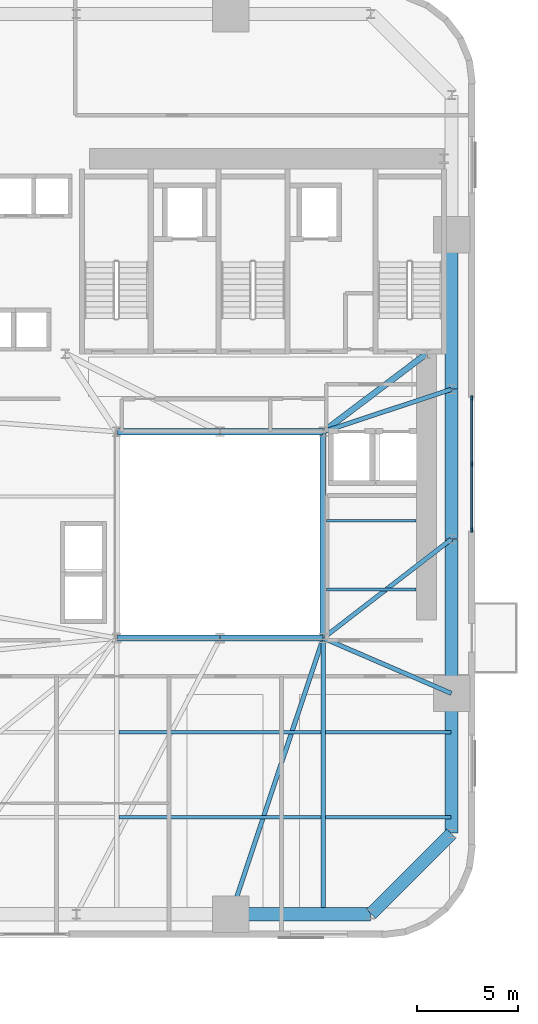
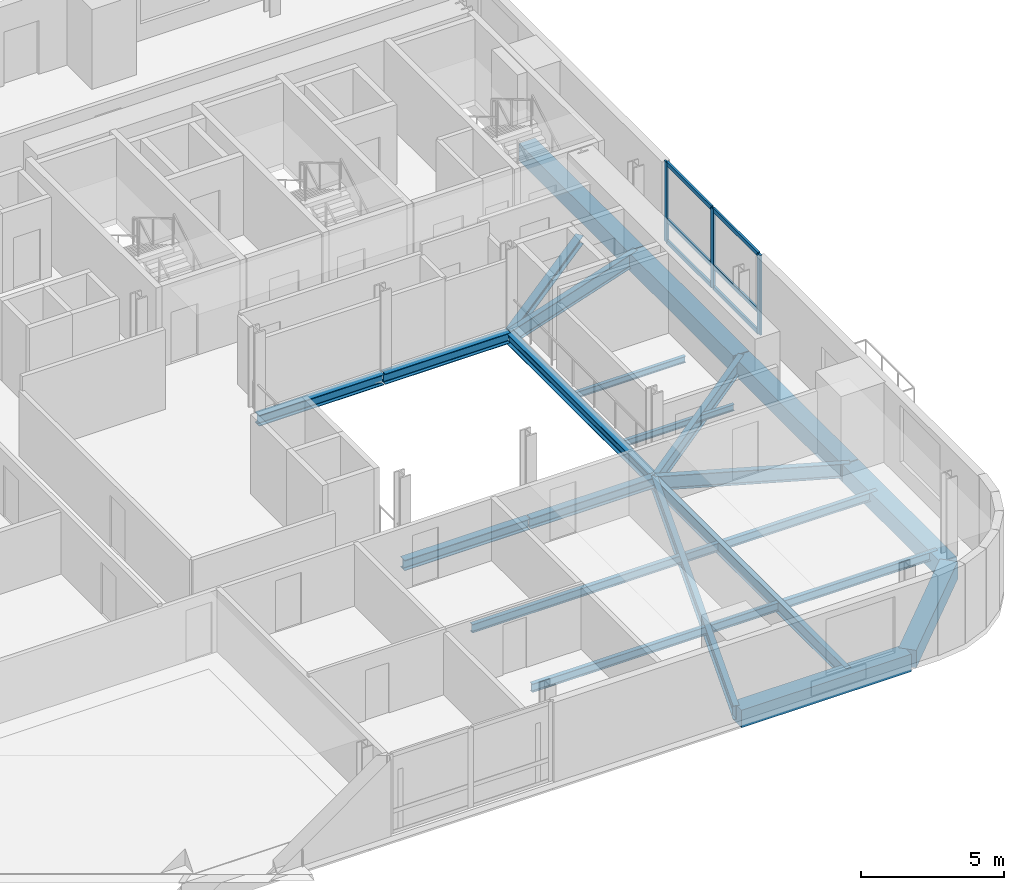
# One storey, part 3 of 13: 23 beams, 9 members, 1 element without a shape of its own.
"""IFC4 building model written with IfcOpenShell, lengths in metres."""

from ifc_helpers import new_model, si_unit, direction, frame, origin, origin_2d, place, context, subcontext, project, spatial, rectangle, i_section, extrude, source, transform, mapped, material, material_profile, profile_set, type_object, element, aggregate, save


model = new_model("IFC4")

# Units and contexts
model_context = context("Model", 3, precision=1e-05, world=origin(), true_north=direction((0.0, 1.0)))
body_context = subcontext(model_context, "Body", "Model", "MODEL_VIEW")
ifc_project = project(units=[si_unit("LENGTHUNIT", "METRE"), si_unit("AREAUNIT", "SQUARE_METRE"), si_unit("VOLUMEUNIT", "CUBIC_METRE"), si_unit("PLANEANGLEUNIT", "RADIAN"), si_unit("MASSUNIT", "GRAM", prefix="KILO")], contexts=[model_context])

# Site, building, storey
site_placement = place(None, origin())
site = spatial("IfcSite", under=ifc_project, at=site_placement, CompositionType="ELEMENT")
building_placement = place(site_placement, origin())
building = spatial("IfcBuilding", under=site, at=building_placement, Name="Vardaveli Station Tower", CompositionType="ELEMENT")
storey_placement = place(building_placement, frame((0.0, 0.0, 71.39990234375)))
storey = spatial("IfcBuildingStorey", under=building, at=storey_placement, Name="L18", CompositionType="ELEMENT", Elevation=71.39990234375)

# Beams
ifc_material_1 = material(Name="Structural steel S355J2", Category="steel")
ifc_material_profile_1 = material_profile(ifc_material_1, i_section(OverallWidth=0.300048828125, OverallDepth=0.449951171875, WebThickness=0.013916015625, FlangeThickness=0.02587890625, FilletRadius=0.027099609375, at=origin_2d()), Name="HEB 450")
ifc_profile_set_1 = profile_set([ifc_material_profile_1], Name="Structural steel S355J2")
beam_type_1 = type_object("IfcBeamType", Name="BM-HEB450", PredefinedType="BEAM", material=ifc_profile_set_1)
shared_shape_1 = source(origin(), body_context, "Body", "SweptSolid", [
    extrude(i_section(OverallWidth=0.300048828125, OverallDepth=0.449951171875, WebThickness=0.013916015625, FlangeThickness=0.02587890625, FilletRadius=0.027099609375, at=origin_2d()), origin(), (0.0, 0.0, 1.0), 5.06005859375),
])
for number, where, z_axis, x_axis, name in (
    (1, (31.219970703125, 16.60009765625, -0.46484375), (1.0, 0.0, 0.0), (0.0, 1.0, 0.0), "ABM-L18-01"),
    (2, (36.280029296875, 26.800048828125, -0.46484375), (-1.0, 0.0, 0.0), (0.0, -1.0, 0.0), "ABM-L18-05"),
):
    element("IfcBeam", number, at=place(storey_placement, frame(where, z_axis=z_axis, x_axis=x_axis)), inside=storey, type_object=beam_type_1, Name=name, PredefinedType="BEAM", context=body_context, shape_type="MappedRepresentation", body=[
        mapped(shared_shape_1, transform((0.0, 0.0, 0.0), scale=1.0)),
    ])
shared_shape_2 = source(origin(), body_context, "Body", "SweptSolid", [
    extrude(i_section(OverallWidth=0.300048828125, OverallDepth=0.449951171875, WebThickness=0.013916015625, FlangeThickness=0.02587890625, FilletRadius=0.027099609375, at=origin_2d()), origin(), (0.0, 0.0, 1.0), 5.059814453125),
])
for number, where, z_axis, x_axis, name in (
    (3, (36.320068359375, 16.60009765625, -0.46484375), (1.0, 0.0, 0.0), (0.0, 1.0, 0.0), "ABM-L18-02"),
    (4, (41.3798828125, 26.800048828125, -0.46484375), (-1.0, 0.0, 0.0), (0.0, -1.0, 0.0), "ABM-L18-04"),
):
    element("IfcBeam", number, at=place(storey_placement, frame(where, z_axis=z_axis, x_axis=x_axis)), inside=storey, type_object=beam_type_1, Name=name, PredefinedType="BEAM", context=body_context, shape_type="MappedRepresentation", body=[
        mapped(shared_shape_2, transform((0.0, 0.0, 0.0), scale=1.0)),
    ])
shared_shape_3 = source(origin(), body_context, "Body", "SweptSolid", [
    extrude(i_section(OverallWidth=0.300048828125, OverallDepth=0.449951171875, WebThickness=0.013916015625, FlangeThickness=0.02587890625, FilletRadius=0.027099609375, at=origin_2d()), origin(), (0.0, 0.0, 1.0), 10.159912109375),
])
beam_1_placement = place(storey_placement, frame((41.39990234375, 16.6201171875, -0.46484375), z_axis=(0.0, 1.0, 0.0), x_axis=(-1.0, 0.0, 0.0)))
element("IfcBeam", 5, at=beam_1_placement, inside=storey, type_object=beam_type_1, Name="ABM-L18-03", PredefinedType="BEAM", context=body_context, shape_type="MappedRepresentation", body=[
    mapped(shared_shape_3, transform((0.0, 0.0, 0.0), scale=1.0)),
])
ifc_material_profile_2 = material_profile(ifc_material_1, i_section(OverallWidth=0.300048828125, OverallDepth=0.360107421875, WebThickness=0.012451171875, FlangeThickness=0.0224609375, FilletRadius=0.027099609375, at=origin_2d()), Name="HEB 360")
ifc_profile_set_2 = profile_set([ifc_material_profile_2], Name="Structural steel S355J2")
beam_type_2 = type_object("IfcBeamType", Name="BM-HEB360", PredefinedType="BEAM", material=ifc_profile_set_2)
shared_shape_4 = source(origin(), body_context, "Body", "SweptSolid", [
    extrude(i_section(OverallWidth=0.300048828125, OverallDepth=0.360107421875, WebThickness=0.012451171875, FlangeThickness=0.0224609375, FilletRadius=0.027099609375, at=origin_2d()), origin(), (0.0, 0.0, 1.0), 6.35009765625),
])
beam_2_placement = place(storey_placement, frame((41.416015625, 26.81201171875, -0.419921875), z_axis=(0.798118337722, 0.602500721154, 0.0), x_axis=(-0.602500721154, 0.798118337722, 0.0)))
element("IfcBeam", 6, at=beam_2_placement, inside=storey, type_object=beam_type_2, Name="CBM-L18-02", PredefinedType="BEAM", context=body_context, shape_type="MappedRepresentation", body=[
    mapped(shared_shape_4, transform((0.0, 0.0, 0.0), scale=1.0)),
])
ifc_material_2 = material(Name="Precast concrete C45/55", Category="concrete")
ifc_material_profile_3 = material_profile(ifc_material_2, rectangle(XDim=0.64990234375, YDim=0.75, at=origin_2d()), Name="LPB 650x750")
ifc_profile_set_3 = profile_set([ifc_material_profile_3], Name="Precast concrete C45/55")
beam_type_3 = type_object("IfcBeamType", Name="BM-LPB-750", PredefinedType="BEAM", material=ifc_profile_set_3)
shared_shape_5 = source(origin(), body_context, "Body", "SweptSolid", [
    extrude(rectangle(XDim=0.64990234375, YDim=0.75, at=origin_2d()), origin(), (0.0, 0.0, 1.0), 7.60009765625),
])
for number, where, z_axis, x_axis, name in (
    (7, (47.75, 13.8798828125, -0.614990234375), (0.0, 1.0, 0.0), (-1.0, 0.0, 0.0), "RBM-L18-07"),
    (8, (47.75, 28.919921875, -0.614990234375), (0.0, 1.0, 0.0), (-1.0, 0.0, 0.0), "RBM-L18-09"),
):
    element("IfcBeam", number, at=place(storey_placement, frame(where, z_axis=z_axis, x_axis=x_axis)), inside=storey, type_object=beam_type_3, Name=name, PredefinedType="BEAM", context=body_context, shape_type="MappedRepresentation", body=[
        mapped(shared_shape_5, transform((0.0, 0.0, 0.0), scale=1.0)),
    ])
shared_shape_6 = source(origin(), body_context, "Body", "SweptSolid", [
    extrude(rectangle(XDim=0.64990234375, YDim=0.75, at=origin_2d()), origin(), (0.0, 0.0, 1.0), 7.35986328125),
])
beam_3_placement = place(storey_placement, frame((47.75, 21.52001953125, -0.614990234375), z_axis=(0.0, 1.0, 0.0), x_axis=(-1.0, 0.0, 0.0)))
element("IfcBeam", 9, at=beam_3_placement, inside=storey, type_object=beam_type_3, Name="RBM-L18-08", PredefinedType="BEAM", context=body_context, shape_type="MappedRepresentation", body=[
    mapped(shared_shape_6, transform((0.0, 0.0, 0.0), scale=1.0)),
])
shared_shape_7 = source(origin(), body_context, "Body", "SweptSolid", [
    extrude(rectangle(XDim=0.64990234375, YDim=0.75, at=origin_2d()), origin(), (0.0, 0.0, 1.0), 6.869873046875),
])
beam_4_placement = place(storey_placement, frame((36.860107421875, 2.949951171875, -0.614990234375), z_axis=(1.0, 0.0, 0.0), x_axis=(0.0, 1.0, 0.0)))
element("IfcBeam", 10, at=beam_4_placement, inside=storey, type_object=beam_type_3, Name="RBM-L18-04", PredefinedType="BEAM", context=body_context, shape_type="MappedRepresentation", body=[
    mapped(shared_shape_7, transform((0.0, 0.0, 0.0), scale=1.0)),
])
shared_shape_8 = source(origin(), body_context, "Body", "SweptSolid", [
    extrude(rectangle(XDim=0.64990234375, YDim=0.75, at=origin_2d()), origin(), (0.0, 0.0, 1.0), 5.61669921875),
])
beam_5_placement = place(storey_placement, frame((43.76416015625, 2.964111328125, -0.614990234375), z_axis=(0.707106781187, 0.707106781187, 0.0), x_axis=(-0.707106781187, 0.707106781187, 0.0)))
element("IfcBeam", 11, at=beam_5_placement, inside=storey, type_object=beam_type_3, Name="RBM-L18-05", PredefinedType="BEAM", context=body_context, shape_type="MappedRepresentation", body=[
    mapped(shared_shape_8, transform((0.0, 0.0, 0.0), scale=1.0)),
])
shared_shape_9 = source(origin(), body_context, "Body", "SweptSolid", [
    extrude(rectangle(XDim=0.64990234375, YDim=0.75, at=origin_2d()), origin(), (0.0, 0.0, 1.0), 6.8701171875),
])
beam_6_placement = place(storey_placement, frame((47.75, 6.969970703125, -0.614990234375), z_axis=(0.0, 1.0, 0.0), x_axis=(-1.0, 0.0, 0.0)))
element("IfcBeam", 12, at=beam_6_placement, inside=storey, type_object=beam_type_3, Name="RBM-L18-06", PredefinedType="BEAM", context=body_context, shape_type="MappedRepresentation", body=[
    mapped(shared_shape_9, transform((0.0, 0.0, 0.0), scale=1.0)),
])
ifc_material_profile_4 = material_profile(ifc_material_1, i_section(OverallWidth=0.219970703125, OverallDepth=0.60009765625, WebThickness=0.011962890625, FlangeThickness=0.01904296875, FilletRadius=0.02392578125, at=origin_2d()), Name="IPE 600")
ifc_profile_set_4 = profile_set([ifc_material_profile_4], Name="Structural steel S355J2")
beam_type_4 = type_object("IfcBeamType", Name="BM-IPE600", PredefinedType="BEAM", material=ifc_profile_set_4)
shared_shape_10 = source(origin(), body_context, "Body", "SweptSolid", [
    extrude(i_section(OverallWidth=0.219970703125, OverallDepth=0.60009765625, WebThickness=0.011962890625, FlangeThickness=0.01904296875, FilletRadius=0.02392578125, at=origin_2d()), origin(), (0.0, 0.0, 1.0), 14.3515625),
])
beam_7_placement = place(storey_placement, frame((36.846435546875, 2.968994140625, -0.539794921875), z_axis=(0.316840115921, 0.948478961782, 0.0), x_axis=(-0.948478961782, 0.316840115921, 0.0)))
element("IfcBeam", 13, at=beam_7_placement, inside=storey, type_object=beam_type_4, Name="GBM-L18-04", PredefinedType="BEAM", context=body_context, shape_type="MappedRepresentation", body=[
    mapped(shared_shape_10, transform((0.0, 0.0, 0.0), scale=1.0)),
])
shared_shape_11 = source(origin(), body_context, "Body", "SweptSolid", [
    extrude(i_section(OverallWidth=0.219970703125, OverallDepth=0.60009765625, WebThickness=0.011962890625, FlangeThickness=0.01904296875, FilletRadius=0.02392578125, at=origin_2d()), origin(), (0.0, 0.0, 1.0), 6.8759765625),
])
beam_8_placement = place(storey_placement, frame((47.731689453125, 13.867919921875, -0.539794921875), z_axis=(-0.918170694621, 0.396185026899, 0.0), x_axis=(-0.396185026899, -0.918170694621, 0.0)))
element("IfcBeam", 14, at=beam_8_placement, inside=storey, type_object=beam_type_4, Name="GBM-L18-05", PredefinedType="BEAM", context=body_context, shape_type="MappedRepresentation", body=[
    mapped(shared_shape_11, transform((0.0, 0.0, 0.0), scale=1.0)),
])
shared_shape_12 = source(origin(), body_context, "Body", "SweptSolid", [
    extrude(i_section(OverallWidth=0.219970703125, OverallDepth=0.60009765625, WebThickness=0.011962890625, FlangeThickness=0.01904296875, FilletRadius=0.02392578125, at=origin_2d()), origin(), (0.0, 0.0, 1.0), 7.980712890625),
])
beam_9_placement = place(storey_placement, frame((47.734130859375, 21.48779296875, -0.539794921875), z_axis=(-0.791701934907, -0.610907559509, 0.0), x_axis=(0.610907559509, -0.791701934907, 0.0)))
element("IfcBeam", 15, at=beam_9_placement, inside=storey, type_object=beam_type_4, Name="GBM-L18-06", PredefinedType="BEAM", context=body_context, shape_type="MappedRepresentation", body=[
    mapped(shared_shape_12, transform((0.0, 0.0, 0.0), scale=1.0)),
])
shared_shape_13 = source(origin(), body_context, "Body", "SweptSolid", [
    extrude(i_section(OverallWidth=0.219970703125, OverallDepth=0.60009765625, WebThickness=0.011962890625, FlangeThickness=0.01904296875, FilletRadius=0.02392578125, at=origin_2d()), origin(), (0.0, 0.0, 1.0), 6.648193359375),
])
beam_10_placement = place(storey_placement, frame((47.73095703125, 28.893798828125, -0.539794921875), z_axis=(-0.949429779906, -0.313979446824, 0.0), x_axis=(0.313979446824, -0.949429779906, 0.0)))
element("IfcBeam", 16, at=beam_10_placement, inside=storey, type_object=beam_type_4, Name="GBM-L18-07", PredefinedType="BEAM", context=body_context, shape_type="MappedRepresentation", body=[
    mapped(shared_shape_13, transform((0.0, 0.0, 0.0), scale=1.0)),
])
ifc_material_profile_5 = material_profile(ifc_material_1, i_section(OverallWidth=0.2099609375, OverallDepth=0.550048828125, WebThickness=0.010986328125, FlangeThickness=0.01708984375, FilletRadius=0.02392578125, at=origin_2d()), Name="IPE 550")
ifc_profile_set_5 = profile_set([ifc_material_profile_5], Name="Structural steel S355J2")
beam_type_5 = type_object("IfcBeamType", Name="BM-IPE550", PredefinedType="BEAM", material=ifc_profile_set_5)
shared_shape_14 = source(origin(), body_context, "Body", "SweptSolid", [
    extrude(i_section(OverallWidth=0.2099609375, OverallDepth=0.550048828125, WebThickness=0.010986328125, FlangeThickness=0.01708984375, FilletRadius=0.02392578125, at=origin_2d()), origin(), (0.0, 0.0, 1.0), 13.469970703125),
])
beam_11_placement = place(storey_placement, frame((41.39990234375, 2.989990234375, -0.514892578125), z_axis=(0.0, 1.0, 0.0), x_axis=(-1.0, 0.0, 0.0)))
element("IfcBeam", 17, at=beam_11_placement, inside=storey, type_object=beam_type_5, Name="NSM-L18-S2", PredefinedType="BEAM", context=body_context, shape_type="MappedRepresentation", body=[
    mapped(shared_shape_14, transform((0.0, 0.0, 0.0), scale=1.0)),
])
ifc_material_profile_6 = material_profile(ifc_material_1, i_section(OverallWidth=0.169921875, OverallDepth=0.360107421875, WebThickness=0.008056640625, FlangeThickness=0.0126953125, FilletRadius=0.01806640625, at=origin_2d()), Name="IPE 360")
ifc_profile_set_6 = profile_set([ifc_material_profile_6], Name="Structural steel S355J2")
beam_type_6 = type_object("IfcBeamType", Name="BM-IPE360", PredefinedType="JOIST", material=ifc_profile_set_6)
shared_shape_15 = source(origin(), body_context, "Body", "SweptSolid", [
    extrude(i_section(OverallWidth=0.169921875, OverallDepth=0.360107421875, WebThickness=0.008056640625, FlangeThickness=0.0126953125, FilletRadius=0.01806640625, at=origin_2d()), origin(), (0.0, 0.0, 1.0), 9.97607421875),
])
for number, where, z_axis, x_axis, name in (
    (18, (31.31201171875, 7.75, -0.419921875), (1.0, 0.0, 0.0), (0.0, 1.0, 0.0), "SJ-L18-S02"),
    (19, (31.31201171875, 11.949951171875, -0.419921875), (1.0, 0.0, 0.0), (0.0, 1.0, 0.0), "SJ-L18-S05"),
):
    element("IfcBeam", number, at=place(storey_placement, frame(where, z_axis=z_axis, x_axis=x_axis)), inside=storey, type_object=beam_type_6, Name=name, PredefinedType="JOIST", context=body_context, shape_type="MappedRepresentation", body=[
        mapped(shared_shape_15, transform((0.0, 0.0, 0.0), scale=1.0)),
    ])
shared_shape_16 = source(origin(), body_context, "Body", "SweptSolid", [
    extrude(i_section(OverallWidth=0.169921875, OverallDepth=0.360107421875, WebThickness=0.008056640625, FlangeThickness=0.0126953125, FilletRadius=0.01806640625, at=origin_2d()), origin(), (0.0, 0.0, 1.0), 6.197998046875),
])
for number, where, z_axis, x_axis, name in (
    (20, (41.511962890625, 7.75, -0.419921875), (1.0, 0.0, 0.0), (0.0, 1.0, 0.0), "SJ-L18-S03"),
    (21, (41.511962890625, 11.949951171875, -0.419921875), (1.0, 0.0, 0.0), (0.0, 1.0, 0.0), "SJ-L18-S06"),
):
    element("IfcBeam", number, at=place(storey_placement, frame(where, z_axis=z_axis, x_axis=x_axis)), inside=storey, type_object=beam_type_6, Name=name, PredefinedType="JOIST", context=body_context, shape_type="MappedRepresentation", body=[
        mapped(shared_shape_16, transform((0.0, 0.0, 0.0), scale=1.0)),
    ])
ifc_material_profile_7 = material_profile(ifc_material_1, i_section(OverallWidth=0.135009765625, OverallDepth=0.27001953125, WebThickness=0.006591796875, FlangeThickness=0.01025390625, FilletRadius=0.014892578125, at=origin_2d()), Name="IPE 270")
ifc_profile_set_7 = profile_set([ifc_material_profile_7], Name="Structural steel S355J2")
beam_type_7 = type_object("IfcBeamType", Name="BM-IPE270", PredefinedType="BEAM", material=ifc_profile_set_7)
shared_shape_17 = source(origin(), body_context, "Body", "SweptSolid", [
    extrude(i_section(OverallWidth=0.135009765625, OverallDepth=0.27001953125, WebThickness=0.006591796875, FlangeThickness=0.01025390625, FilletRadius=0.014892578125, at=origin_2d()), origin(), (0.0, 0.0, 1.0), 4.43017578125),
])
for number, where, z_axis, x_axis, name in (
    (22, (41.56494140625, 19.0, -0.375), (1.0, 0.0, 0.0), (0.0, 1.0, 0.0), "TJ-L18-01"),
    (23, (41.56494140625, 22.39990234375, -0.375), (1.0, 0.0, 0.0), (0.0, 1.0, 0.0), "TJ-L18-02"),
):
    element("IfcBeam", number, at=place(storey_placement, frame(where, z_axis=z_axis, x_axis=x_axis)), inside=storey, type_object=beam_type_7, Name=name, PredefinedType="BEAM", context=body_context, shape_type="MappedRepresentation", body=[
        mapped(shared_shape_17, transform((0.0, 0.0, 0.0), scale=1.0)),
    ])

# Curtain wall, members
ifc_material_3 = material(Name="Travertine stone and solar-control glass", Category="masonry")
curtain_wall_type = type_object("IfcCurtainWallType", Name="CW-SYS-2", PredefinedType="NOTDEFINED", material=ifc_material_3)
curtain_wall_placement = place(storey_placement, origin())
curtain_wall = element("IfcCurtainWall", 24, at=curtain_wall_placement, inside=storey, type_object=curtain_wall_type, Name="CW-L18-E", PredefinedType="NOTDEFINED")
ifc_material_4 = material(Name="Anodised aluminium alloy 6063-T6", Category="aluminium")
ifc_material_profile_8 = material_profile(ifc_material_4, rectangle(XDim=0.0849609375, YDim=0.179931640625, at=origin_2d()), Name="CWT 85x180")
ifc_profile_set_8 = profile_set([ifc_material_profile_8], Name="Anodised aluminium alloy 6063-T6")
member_type_1 = type_object("IfcMemberType", Name="CW-SYS-2-TRAN", PredefinedType="NOTDEFINED", material=ifc_profile_set_8)
shared_shape_18 = source(origin(), body_context, "Body", "SweptSolid", [
    extrude(rectangle(XDim=0.0849609375, YDim=0.179931640625, at=origin_2d()), origin(), (0.0, 0.0, 1.0), 3.172607421875),
])
member_1_placement = place(storey_placement, frame((48.739990234375, 25.242431640625, 0.04248046875), z_axis=(0.0, 1.0, 0.0), x_axis=(-1.0, 0.0, 0.0)))
member_1 = element("IfcMember", 25, at=member_1_placement, type_object=member_type_1, Name="CW-2 transom 2.1", ObjectType="TRANSOM", PredefinedType="USERDEFINED", context=body_context, shape_type="MappedRepresentation", body=[
    mapped(shared_shape_18, transform((0.0, 0.0, 0.0), scale=1.0)),
])
member_2_placement = place(storey_placement, frame((48.739990234375, 25.242431640625, 0.9501953125), z_axis=(0.0, 1.0, 0.0), x_axis=(-1.0, 0.0, 0.0)))
member_2 = element("IfcMember", 26, at=member_2_placement, type_object=member_type_1, Name="CW-2 transom 2.2", ObjectType="TRANSOM", PredefinedType="USERDEFINED", context=body_context, shape_type="MappedRepresentation", body=[
    mapped(shared_shape_18, transform((0.0, 0.0, 0.0), scale=1.0)),
])
member_3_placement = place(storey_placement, frame((48.739990234375, 25.242431640625, 3.36767578125), z_axis=(0.0, 1.0, 0.0), x_axis=(-1.0, 0.0, 0.0)))
member_3 = element("IfcMember", 27, at=member_3_placement, type_object=member_type_1, Name="CW-2 transom 2.3", ObjectType="TRANSOM", PredefinedType="USERDEFINED", context=body_context, shape_type="MappedRepresentation", body=[
    mapped(shared_shape_18, transform((0.0, 0.0, 0.0), scale=1.0)),
])
shared_shape_19 = source(origin(), body_context, "Body", "SweptSolid", [
    extrude(rectangle(XDim=0.0849609375, YDim=0.179931640625, at=origin_2d()), origin(), (0.0, 0.0, 1.0), 3.17236328125),
])
member_4_placement = place(storey_placement, frame((48.739990234375, 21.985107421875, 0.04248046875), z_axis=(0.0, 1.0, 0.0), x_axis=(-1.0, 0.0, 0.0)))
member_4 = element("IfcMember", 28, at=member_4_placement, type_object=member_type_1, Name="CW-2 transom 1.1", ObjectType="TRANSOM", PredefinedType="USERDEFINED", context=body_context, shape_type="MappedRepresentation", body=[
    mapped(shared_shape_19, transform((0.0, 0.0, 0.0), scale=1.0)),
])
member_5_placement = place(storey_placement, frame((48.739990234375, 21.985107421875, 0.9501953125), z_axis=(0.0, 1.0, 0.0), x_axis=(-1.0, 0.0, 0.0)))
member_5 = element("IfcMember", 29, at=member_5_placement, type_object=member_type_1, Name="CW-2 transom 1.2", ObjectType="TRANSOM", PredefinedType="USERDEFINED", context=body_context, shape_type="MappedRepresentation", body=[
    mapped(shared_shape_19, transform((0.0, 0.0, 0.0), scale=1.0)),
])
member_6_placement = place(storey_placement, frame((48.739990234375, 21.985107421875, 3.36767578125), z_axis=(0.0, 1.0, 0.0), x_axis=(-1.0, 0.0, 0.0)))
member_6 = element("IfcMember", 30, at=member_6_placement, type_object=member_type_1, Name="CW-2 transom 1.3", ObjectType="TRANSOM", PredefinedType="USERDEFINED", context=body_context, shape_type="MappedRepresentation", body=[
    mapped(shared_shape_19, transform((0.0, 0.0, 0.0), scale=1.0)),
])
ifc_material_profile_9 = material_profile(ifc_material_4, rectangle(XDim=0.0849609375, YDim=0.219970703125, at=origin_2d()), Name="CWM 85x220")
ifc_profile_set_9 = profile_set([ifc_material_profile_9], Name="Anodised aluminium alloy 6063-T6")
member_type_2 = type_object("IfcMemberType", Name="CW-SYS-2-MULL", PredefinedType="MULLION", material=ifc_profile_set_9)
shared_shape_20 = source(origin(), body_context, "Body", "SweptSolid", [
    extrude(rectangle(XDim=0.0849609375, YDim=0.219970703125, at=origin_2d()), origin(), (0.0, 0.0, 1.0), 3.41015625),
])
member_7_placement = place(storey_placement, frame((48.739990234375, 21.9423828125, 0.0), z_axis=(0.0, 0.0, 1.0), x_axis=(-1.0, 0.0, 0.0)))
member_7 = element("IfcMember", 31, at=member_7_placement, type_object=member_type_2, Name="CW-2 mullion 1", PredefinedType="MULLION", context=body_context, shape_type="MappedRepresentation", body=[
    mapped(shared_shape_20, transform((0.0, 0.0, 0.0), scale=1.0)),
])
member_8_placement = place(storey_placement, frame((48.739990234375, 25.199951171875, 0.0), z_axis=(0.0, 0.0, 1.0), x_axis=(-1.0, 0.0, 0.0)))
member_8 = element("IfcMember", 32, at=member_8_placement, type_object=member_type_2, Name="CW-2 mullion 2", PredefinedType="MULLION", context=body_context, shape_type="MappedRepresentation", body=[
    mapped(shared_shape_20, transform((0.0, 0.0, 0.0), scale=1.0)),
])
member_9_placement = place(storey_placement, frame((48.739990234375, 28.45751953125, 0.0), z_axis=(0.0, 0.0, 1.0), x_axis=(-1.0, 0.0, 0.0)))
member_9 = element("IfcMember", 33, at=member_9_placement, type_object=member_type_2, Name="CW-2 mullion 3", PredefinedType="MULLION", context=body_context, shape_type="MappedRepresentation", body=[
    mapped(shared_shape_20, transform((0.0, 0.0, 0.0), scale=1.0)),
])
aggregate(curtain_wall, [member_7, member_8, member_9, member_4, member_5, member_6, member_1, member_2, member_3])

save(model, "model.ifc")
